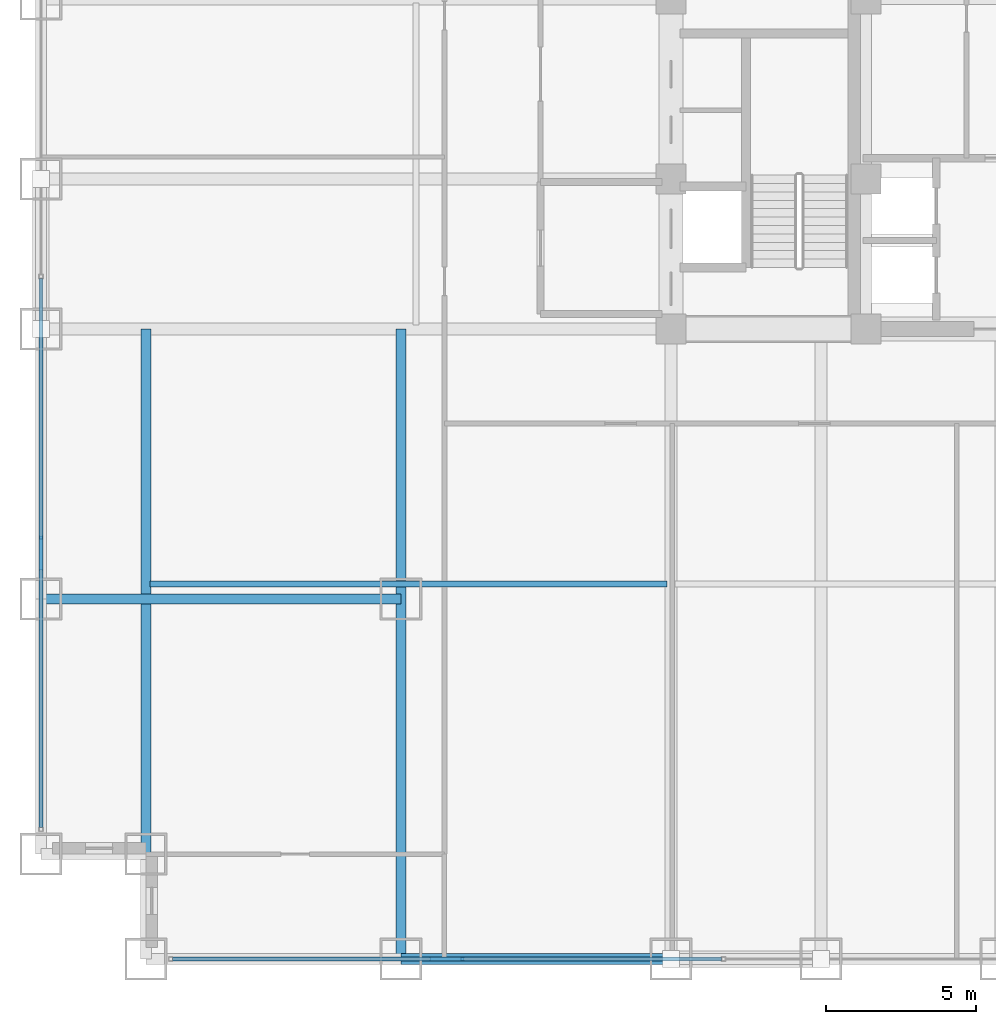
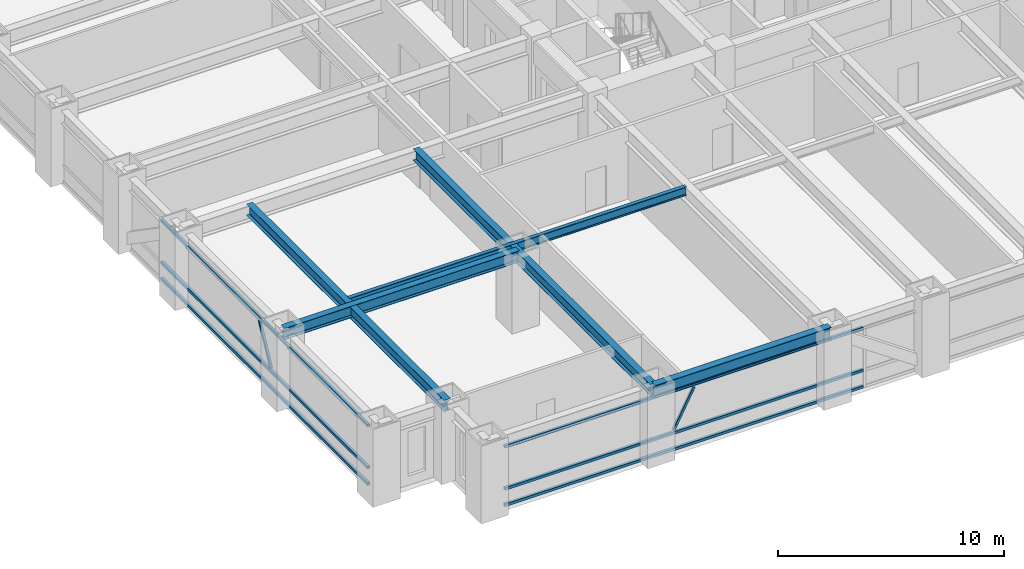
# One storey, part 3 of 27: 8 members, 5 beams, 2 elements without a shape of their own.
"""IFC4 building model written with IfcOpenShell, lengths in metres."""

from ifc_helpers import new_model, si_unit, direction, frame, origin, origin_2d, place, context, subcontext, project, spatial, hollow_rectangle, i_section, extrude, source, transform, mapped, material, material_profile, profile_set, type_object, element, aggregate, save


model = new_model("IFC4")

# Units and contexts
model_context = context("Model", 3, precision=1e-05, world=origin(), true_north=direction((0.0, 1.0)))
body_context = subcontext(model_context, "Body", "Model", "MODEL_VIEW")
ifc_project = project(units=[si_unit("LENGTHUNIT", "METRE"), si_unit("AREAUNIT", "SQUARE_METRE"), si_unit("VOLUMEUNIT", "CUBIC_METRE"), si_unit("PLANEANGLEUNIT", "RADIAN"), si_unit("MASSUNIT", "GRAM", prefix="KILO")], contexts=[model_context])

# Site, building, storey
site_placement = place(None, origin())
site = spatial("IfcSite", under=ifc_project, at=site_placement, CompositionType="ELEMENT")
building_placement = place(site_placement, origin())
building = spatial("IfcBuilding", under=site, at=building_placement, Name="Khorayat Bourse Tower", CompositionType="ELEMENT")
storey_placement = place(building_placement, frame((0.0, 0.0, 53.60009765625)))
storey = spatial("IfcBuildingStorey", under=building, at=storey_placement, Name="L11", CompositionType="ELEMENT", Elevation=53.60009765625)

# Beams
ifc_material_1 = material(Name="Steel ASTM A992 Grade 50", Category="steel")
ifc_material_profile_1 = material_profile(ifc_material_1, i_section(OverallWidth=0.35498046875, OverallDepth=0.695068359375, WebThickness=0.015380859375, FlangeThickness=0.02490234375, FilletRadius=0.01806640625, at=origin_2d()), Name="W690X217")
ifc_profile_set_1 = profile_set([ifc_material_profile_1], Name="Steel ASTM A992 Grade 50")
beam_type_1 = type_object("IfcBeamType", Name="BM-SPAN-690", PredefinedType="SPANDREL", material=ifc_profile_set_1)
shared_shape_1 = source(origin(), body_context, "Body", "SweptSolid", [
    extrude(i_section(OverallWidth=0.35498046875, OverallDepth=0.695068359375, WebThickness=0.015380859375, FlangeThickness=0.02490234375, FilletRadius=0.01806640625, at=origin_2d()), origin(), (0.0, 0.0, 1.0), 9.0),
])
beam_1_placement = place(storey_placement, frame((-20.0, -32.0, 3.59228515625), z_axis=(1.0, 0.0, 0.0), x_axis=(0.0, 1.0, 0.0)))
element("IfcBeam", 1, at=beam_1_placement, inside=storey, type_object=beam_type_1, Name="L11 BM-SPAN-690 BM-L11-SPN-025", PredefinedType="SPANDREL", context=body_context, shape_type="MappedRepresentation", body=[
    mapped(shared_shape_1, transform((0.0, 0.0, 0.0), scale=1.0)),
])
ifc_material_profile_2 = material_profile(ifc_material_1, i_section(OverallWidth=0.324951171875, OverallDepth=0.615966796875, WebThickness=0.013916015625, FlangeThickness=0.021484375, FilletRadius=0.01611328125, at=origin_2d()), Name="W610X174")
ifc_profile_set_2 = profile_set([ifc_material_profile_2], Name="Steel ASTM A992 Grade 50")
beam_type_2 = type_object("IfcBeamType", Name="BM-GIRD-610", PredefinedType="BEAM", material=ifc_profile_set_2)
shared_shape_2 = source(origin(), body_context, "Body", "SweptSolid", [
    extrude(i_section(OverallWidth=0.324951171875, OverallDepth=0.615966796875, WebThickness=0.013916015625, FlangeThickness=0.021484375, FilletRadius=0.01611328125, at=origin_2d()), origin(), (0.0, 0.0, 1.0), 21.0),
])
beam_2_placement = place(storey_placement, frame((-20.0, -32.0, 3.6318359375), z_axis=(0.0, 1.0, 0.0), x_axis=(-1.0, 0.0, 0.0)))
element("IfcBeam", 2, at=beam_2_placement, inside=storey, type_object=beam_type_2, Name="L11 BM-GIRD-610 BM-L11-CNRY-084", PredefinedType="BEAM", context=body_context, shape_type="MappedRepresentation", body=[
    mapped(shared_shape_2, transform((0.0, 0.0, 0.0), scale=1.0)),
])
shared_shape_3 = source(origin(), body_context, "Body", "SweptSolid", [
    extrude(i_section(OverallWidth=0.324951171875, OverallDepth=0.615966796875, WebThickness=0.013916015625, FlangeThickness=0.021484375, FilletRadius=0.01611328125, at=origin_2d()), origin(), (0.0, 0.0, 1.0), 17.5),
])
beam_3_placement = place(storey_placement, frame((-28.5, -28.5, 3.6318359375), z_axis=(0.0, 1.0, 0.0), x_axis=(-1.0, 0.0, 0.0)))
element("IfcBeam", 3, at=beam_3_placement, inside=storey, type_object=beam_type_2, Name="L11 BM-GIRD-610 BM-L11-CNRY-088", PredefinedType="BEAM", context=body_context, shape_type="MappedRepresentation", body=[
    mapped(shared_shape_3, transform((0.0, 0.0, 0.0), scale=1.0)),
])
shared_shape_4 = source(origin(), body_context, "Body", "SweptSolid", [
    extrude(i_section(OverallWidth=0.324951171875, OverallDepth=0.615966796875, WebThickness=0.013916015625, FlangeThickness=0.021484375, FilletRadius=0.01611328125, at=origin_2d()), origin(), (0.0, 0.0, 1.0), 12.0),
])
beam_4_placement = place(storey_placement, frame((-32.0, -20.0, 3.6318359375), z_axis=(1.0, 0.0, 0.0), x_axis=(0.0, 1.0, 0.0)))
element("IfcBeam", 4, at=beam_4_placement, inside=storey, type_object=beam_type_2, Name="L11 BM-GIRD-610 BM-L11-CNRX-093", PredefinedType="BEAM", context=body_context, shape_type="MappedRepresentation", body=[
    mapped(shared_shape_4, transform((0.0, 0.0, 0.0), scale=1.0)),
])
ifc_material_profile_3 = material_profile(ifc_material_1, i_section(OverallWidth=0.194091796875, OverallDepth=0.468994140625, WebThickness=0.0126953125, FlangeThickness=0.0205078125, FilletRadius=0.012939453125, at=origin_2d()), Name="W460X106")
ifc_profile_set_3 = profile_set([ifc_material_profile_3], Name="Steel ASTM A992 Grade 50")
beam_type_3 = type_object("IfcBeamType", Name="BM-JOIST-460", PredefinedType="JOIST", material=ifc_profile_set_3)
shared_shape_5 = source(origin(), body_context, "Body", "SweptSolid", [
    extrude(i_section(OverallWidth=0.194091796875, OverallDepth=0.468994140625, WebThickness=0.0126953125, FlangeThickness=0.0205078125, FilletRadius=0.012939453125, at=origin_2d()), origin(), (0.0, 0.0, 1.0), 17.240234375),
])
beam_5_placement = place(storey_placement, frame((-28.3701171875, -19.5, 3.705322265625), z_axis=(1.0, 0.0, 0.0), x_axis=(0.0, 1.0, 0.0)))
element("IfcBeam", 5, at=beam_5_placement, inside=storey, type_object=beam_type_3, Name="L11 BM-JOIST-460 BM-L11-JSTX-096", PredefinedType="JOIST", context=body_context, shape_type="MappedRepresentation", body=[
    mapped(shared_shape_5, transform((0.0, 0.0, 0.0), scale=1.0)),
])

# Curtain wall, members
ifc_material_2 = material(Name="Aluminium EN AW-6063 T6", Category="aluminium")
curtain_wall_type = type_object("IfcCurtainWallType", Name="CW-SYS-02", PredefinedType="NOTDEFINED", material=ifc_material_2)
curtain_wall_1_placement = place(storey_placement, origin())
curtain_wall_1 = element("IfcCurtainWall", 6, at=curtain_wall_1_placement, inside=storey, type_object=curtain_wall_type, Name="L11 Curtain Wall CW-L11-S1", PredefinedType="NOTDEFINED")
ifc_material_profile_4 = material_profile(ifc_material_2, hollow_rectangle(XDim=0.139892578125, YDim=0.139892578125, WallThickness=0.006103515625, at=origin_2d()), Name="ALU 140x140x6")
ifc_profile_set_4 = profile_set([ifc_material_profile_4], Name="Aluminium EN AW-6063 T6")
member_type_1 = type_object("IfcMemberType", Name="CWT-HORZ-140", PredefinedType="USERDEFINED", material=ifc_profile_set_4)
shared_shape_6 = source(origin(), body_context, "Body", "SweptSolid", [
    extrude(hollow_rectangle(XDim=0.139892578125, YDim=0.139892578125, WallThickness=0.006103515625, at=origin_2d()), origin(), (0.0, 0.0, 1.0), 18.2900390625),
])
member_1_placement = place(storey_placement, frame((-27.610107421875, -32.0, 0.06982421875), z_axis=(1.0, 0.0, 0.0), x_axis=(0.0, 1.0, 0.0)))
member_1 = element("IfcMember", 7, at=member_1_placement, type_object=member_type_1, Name="CW-L11-S1 Horizontal Transom 1-1", ObjectType="TRANSOM", PredefinedType="USERDEFINED", context=body_context, shape_type="MappedRepresentation", body=[
    mapped(shared_shape_6, transform((0.0, 0.0, 0.0), scale=1.0)),
])
member_2_placement = place(storey_placement, frame((-27.610107421875, -32.0, 0.949951171875), z_axis=(1.0, 0.0, 0.0), x_axis=(0.0, 1.0, 0.0)))
member_2 = element("IfcMember", 8, at=member_2_placement, type_object=member_type_1, Name="CW-L11-S1 Horizontal Transom 1-2", ObjectType="TRANSOM", PredefinedType="USERDEFINED", context=body_context, shape_type="MappedRepresentation", body=[
    mapped(shared_shape_6, transform((0.0, 0.0, 0.0), scale=1.0)),
])
member_3_placement = place(storey_placement, frame((-27.610107421875, -32.0, 3.219970703125), z_axis=(1.0, 0.0, 0.0), x_axis=(0.0, 1.0, 0.0)))
member_3 = element("IfcMember", 9, at=member_3_placement, type_object=member_type_1, Name="CW-L11-S1 Horizontal Transom 1-3", ObjectType="TRANSOM", PredefinedType="USERDEFINED", context=body_context, shape_type="MappedRepresentation", body=[
    mapped(shared_shape_6, transform((0.0, 0.0, 0.0), scale=1.0)),
])

curtain_wall_2_placement = place(storey_placement, origin())
curtain_wall_2 = element("IfcCurtainWall", 10, at=curtain_wall_2_placement, inside=storey, type_object=curtain_wall_type, Name="L11 Curtain Wall CW-L11-W1", PredefinedType="NOTDEFINED")
member_4_placement = place(storey_placement, frame((-32.0, -27.610107421875, 0.06982421875), z_axis=(0.0, 1.0, 0.0), x_axis=(-1.0, 0.0, 0.0)))
member_4 = element("IfcMember", 11, at=member_4_placement, type_object=member_type_1, Name="CW-L11-W1 Horizontal Transom 1-1", ObjectType="TRANSOM", PredefinedType="USERDEFINED", context=body_context, shape_type="MappedRepresentation", body=[
    mapped(shared_shape_6, transform((0.0, 0.0, 0.0), scale=1.0)),
])
member_5_placement = place(storey_placement, frame((-32.0, -27.610107421875, 0.949951171875), z_axis=(0.0, 1.0, 0.0), x_axis=(-1.0, 0.0, 0.0)))
member_5 = element("IfcMember", 12, at=member_5_placement, type_object=member_type_1, Name="CW-L11-W1 Horizontal Transom 1-2", ObjectType="TRANSOM", PredefinedType="USERDEFINED", context=body_context, shape_type="MappedRepresentation", body=[
    mapped(shared_shape_6, transform((0.0, 0.0, 0.0), scale=1.0)),
])
member_6_placement = place(storey_placement, frame((-32.0, -27.610107421875, 3.219970703125), z_axis=(0.0, 1.0, 0.0), x_axis=(-1.0, 0.0, 0.0)))
member_6 = element("IfcMember", 13, at=member_6_placement, type_object=member_type_1, Name="CW-L11-W1 Horizontal Transom 1-3", ObjectType="TRANSOM", PredefinedType="USERDEFINED", context=body_context, shape_type="MappedRepresentation", body=[
    mapped(shared_shape_6, transform((0.0, 0.0, 0.0), scale=1.0)),
])

# Member
ifc_material_profile_5 = material_profile(ifc_material_2, hollow_rectangle(XDim=0.1201171875, YDim=0.1201171875, WallThickness=0.0048828125, at=origin_2d()), Name="ALU 120x120x5")
ifc_profile_set_5 = profile_set([ifc_material_profile_5], Name="Aluminium EN AW-6063 T6")
member_type_2 = type_object("IfcMemberType", Name="CWM-DIAG-120", PredefinedType="MULLION", material=ifc_profile_set_5)
shared_shape_7 = source(origin(), body_context, "Body", "SweptSolid", [
    extrude(hollow_rectangle(XDim=0.1201171875, YDim=0.1201171875, WallThickness=0.0048828125, at=origin_2d()), origin(), (0.0, 0.0, 1.0), 2.22607421875),
])
member_7_placement = place(storey_placement, frame((-18.9833984375, -32.0, 1.099853515625), z_axis=(0.465759992596, 0.0, 0.884911085532), x_axis=(0.0, 1.0, 0.0)))
member_7 = element("IfcMember", 14, at=member_7_placement, type_object=member_type_2, Name="CW-L11-S1 Faceted Diagonal Mullion 1", PredefinedType="MULLION", context=body_context, shape_type="MappedRepresentation", body=[
    mapped(shared_shape_7, transform((0.0, 0.0, 0.0), scale=1.0)),
])

aggregate(curtain_wall_1, [member_1, member_2, member_3, member_7])

member_8_placement = place(storey_placement, frame((-32.0, -18.9833984375, 1.099853515625), z_axis=(0.0, 0.465759992596, 0.884911085532), x_axis=(-1.0, 0.0, 0.0)))
member_8 = element("IfcMember", 15, at=member_8_placement, type_object=member_type_2, Name="CW-L11-W1 Faceted Diagonal Mullion 1", PredefinedType="MULLION", context=body_context, shape_type="MappedRepresentation", body=[
    mapped(shared_shape_7, transform((0.0, 0.0, 0.0), scale=1.0)),
])

aggregate(curtain_wall_2, [member_4, member_5, member_6, member_8])

save(model, "model.ifc")
